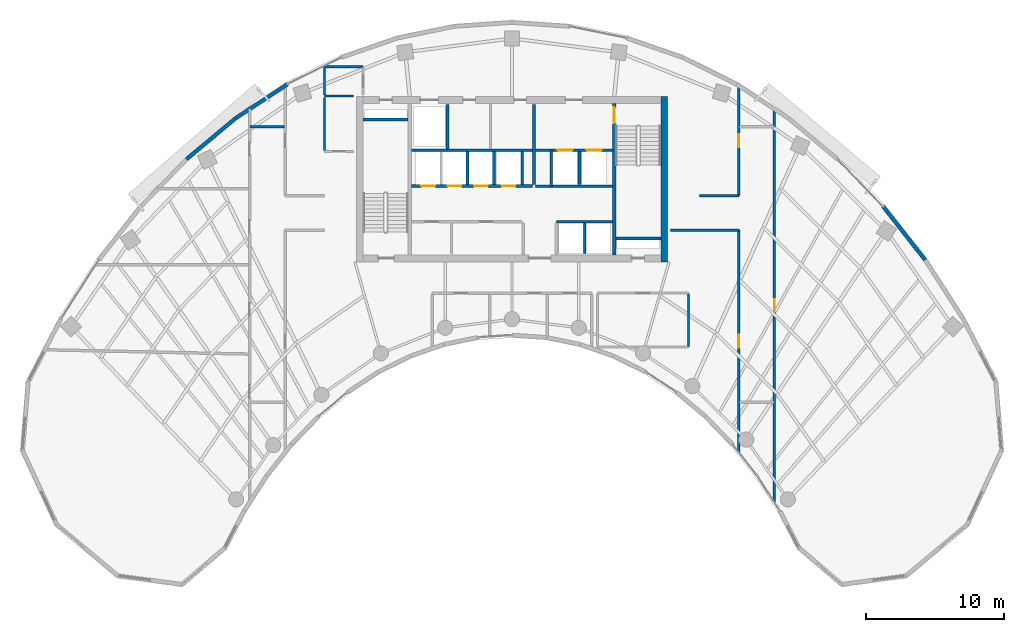
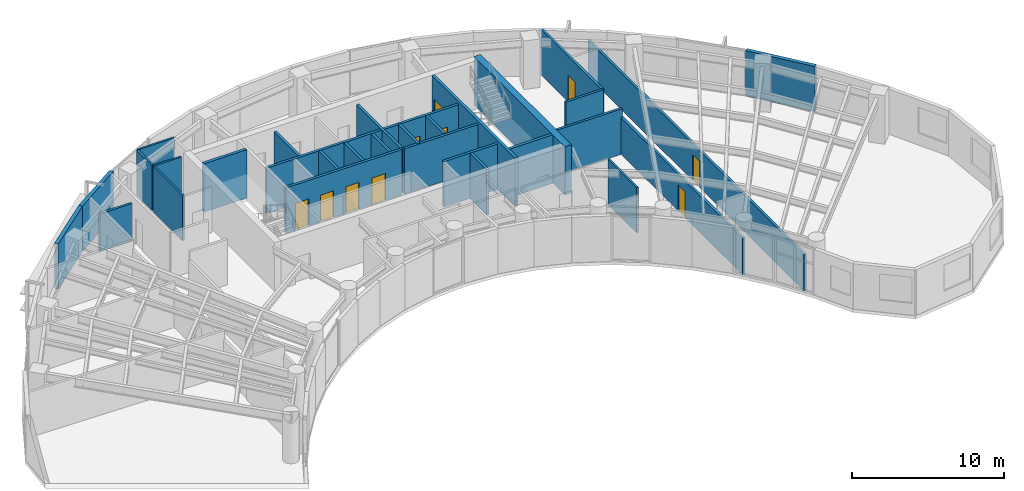
# One storey, part 9 of 13: 31 walls, 10 doors, 10 openings.
"""IFC4 building model written with IfcOpenShell, lengths in metres."""

from ifc_helpers import new_model, si_unit, direction, frame, frame_2d, origin, place, context, subcontext, project, spatial, rectangle, extrude, source, transform, mapped, material, layer, layer_set, type_object, type_shapes, element, fill, save


model = new_model("IFC4")

# Units and contexts
model_context = context("Model", 3, precision=1e-05, world=origin(), true_north=direction((0.0, 1.0)))
body_context = subcontext(model_context, "Body", "Model", "MODEL_VIEW")
ifc_project = project(units=[si_unit("LENGTHUNIT", "METRE"), si_unit("AREAUNIT", "SQUARE_METRE"), si_unit("VOLUMEUNIT", "CUBIC_METRE"), si_unit("PLANEANGLEUNIT", "RADIAN"), si_unit("MASSUNIT", "GRAM", prefix="KILO")], contexts=[model_context])

# Site, building, storey
site_placement = place(None, origin())
site = spatial("IfcSite", under=ifc_project, at=site_placement, CompositionType="ELEMENT")
building_placement = place(site_placement, origin())
building = spatial("IfcBuilding", under=site, at=building_placement, Name="Breltana Convention Tower", CompositionType="ELEMENT")
storey_placement = place(building_placement, frame((0.0, 0.0, 166.199951171875)))
storey = spatial("IfcBuildingStorey", under=building, at=storey_placement, Name="L40", CompositionType="ELEMENT", Elevation=166.199951171875)

# Walls
ifc_material_1 = material(Name="Concrete C60/75", Category="concrete")
ifc_layer_1 = layer(ifc_material_1, 0.5, Name="Concrete C60/75")
ifc_layer_set_1 = layer_set([ifc_layer_1], Name="Concrete C60/75")
wall_type_1 = type_object("IfcWallType", Name="SW-CORE-500", PredefinedType="SHEAR", material=ifc_layer_set_1)
shared_shape_1 = source(origin(), body_context, "Body", "SweptSolid", [
    extrude(rectangle(XDim=12.0, YDim=0.5, at=frame_2d((6.0, 0.0))), origin(), (0.0, 0.0, 1.0), 3.900146484375),
])
wall_1_placement = place(storey_placement, frame((59.050048828125, 60.199951171875, 0.0), z_axis=(0.0, 0.0, 1.0), x_axis=(0.0, 1.0, 0.0)))
element("IfcWall", 1, at=wall_1_placement, inside=storey, type_object=wall_type_1, Name="L40 East Core Shear Wall", PredefinedType="SHEAR", context=body_context, shape_type="MappedRepresentation", body=[
    mapped(shared_shape_1, transform((0.0, 0.0, 0.0), scale=1.0)),
])
ifc_material_2 = material(Name="Concrete C50/60", Category="concrete")
ifc_layer_2 = layer(ifc_material_2, 0.39990234375, Name="Concrete C50/60")
ifc_layer_set_2 = layer_set([ifc_layer_2], Name="Concrete C50/60")
wall_type_2 = type_object("IfcWallType", Name="SW-CORE-400", PredefinedType="SHEAR", material=ifc_layer_set_2)
shared_shape_2 = source(origin(), body_context, "Body", "SweptSolid", [
    extrude(rectangle(XDim=3.27001953125, YDim=0.219970703125, at=frame_2d((1.635009765625, 0.0))), origin(), (0.0, 0.0, 1.0), 3.900146484375),
])
for number, where, z_axis, x_axis, name in (
    (2, (37.199951171875, 70.510009765625, 0.0), (0.0, 0.0, 1.0), (1.0, 0.0, 0.0), "L40 ST-1 Stairwell North Bearing Wall"),
    (3, (55.530029296875, 61.889892578125, 0.0), (0.0, 0.0, 1.0), (1.0, 0.0, 0.0), "L40 ST-2 Stairwell South Bearing Wall"),
):
    element("IfcWall", number, at=place(storey_placement, frame(where, z_axis=z_axis, x_axis=x_axis)), inside=storey, type_object=wall_type_2, Name=name, PredefinedType="SHEAR", context=body_context, shape_type="MappedRepresentation", body=[
        mapped(shared_shape_2, transform((0.0, 0.0, 0.0), scale=1.0)),
    ])

# Wall, opening, door
shared_shape_3 = source(origin(), body_context, "Body", "SweptSolid", [
    extrude(rectangle(XDim=11.0, YDim=0.219970703125, at=frame_2d((5.5, 0.0))), origin(), (0.0, 0.0, 1.0), 3.900146484375),
])
wall_2_placement = place(storey_placement, frame((55.419921875, 60.699951171875, 0.0), z_axis=(0.0, 0.0, 1.0), x_axis=(0.0, 1.0, 0.0)))
wall_2 = element("IfcWall", 4, at=wall_2_placement, inside=storey, type_object=wall_type_2, Name="L40 Core East Stair Spine Wall", PredefinedType="SHEAR", context=body_context, shape_type="MappedRepresentation", body=[
    mapped(shared_shape_3, transform((0.0, 0.0, 0.0), scale=1.0)),
])
opening_1_placement = place(wall_2_placement, frame((9.544921875, 0.0, 0.0)))
opening_1 = element("IfcOpeningElement", 5, at=opening_1_placement, cuts=wall_2, Name="Opening D-11", PredefinedType="OPENING", context=body_context, shape_type="SweptSolid", body=[
    extrude(rectangle(XDim=1.14990234375, YDim=2.14990234375, at=frame_2d((0.574951171875, 1.074951171875))), frame((0.0, 0.1201171875, 0.0), z_axis=(0.0, -1.0, 0.0), x_axis=(1.0, 0.0, 0.0)), (0.0, 0.0, 1.0), 0.239990234375),
])
ifc_material_3 = material(Name="Steel Stair Exit Door", Category="steel")
door_type_1 = type_object("IfcDoorType", Name="DR-FD120-1150", OperationType="NOTDEFINED", PredefinedType="DOOR", material=ifc_material_3)
shared_shape_4 = source(origin(), body_context, "Body", "SweptSolid", [
    extrude(rectangle(XDim=1.14990234375, YDim=2.14990234375, at=frame_2d((0.574951171875, 1.074951171875))), frame((0.0, 0.02490234375, 0.0), z_axis=(0.0, -1.0, 0.0), x_axis=(1.0, 0.0, 0.0)), (0.0, 0.0, 1.0), 0.050048828125),
])
type_shapes(door_type_1, [shared_shape_4])
door_1_placement = place(opening_1_placement, origin())
door_1 = element("IfcDoor", 6, at=door_1_placement, inside=storey, type_object=door_type_1, Name="L40 interior door D-L40-ST2", OperationType="SINGLE_SWING_LEFT", OverallHeight=2.14990234375, OverallWidth=1.14990234375, PredefinedType="DOOR", context=body_context, shape_type="MappedRepresentation", body=[
    mapped(shared_shape_4, transform((0.0, 0.0, 0.0), scale=1.0)),
])
fill(opening_1, door_1)

# Walls
ifc_material_4 = material(Name="Limestone Buff Insulated Wall", Category="masonry")
ifc_layer_3 = layer(ifc_material_4, 0.280029296875, Name="Limestone Buff Insulated Wall")
ifc_layer_set_3 = layer_set([ifc_layer_3], Name="Limestone Buff Insulated Wall")
wall_type_3 = type_object("IfcWallType", Name="WL-EXT-NOSE-280", PredefinedType="SOLIDWALL", material=ifc_layer_set_3)
shared_shape_5 = source(origin(), body_context, "Body", "SweptSolid", [
    extrude(rectangle(XDim=4.921630859375, YDim=0.280029296875, at=frame_2d((2.4609375, 0.0))), origin(), (0.0, 0.0, 1.0), 3.650146484375),
])
wall_3_placement = place(storey_placement, frame((74.936279296875, 64.206298828125, 0.0), z_axis=(0.0, 0.0, 1.0), x_axis=(0.61817639101, -0.786039407153, 0.0)))
element("IfcWall", 7, at=wall_3_placement, inside=storey, type_object=wall_type_3, Name="L40 curved limestone nose wall E32", PredefinedType="SOLIDWALL", context=body_context, shape_type="MappedRepresentation", body=[
    mapped(shared_shape_5, transform((0.0, 0.0, 0.0), scale=1.0)),
])
shared_shape_6 = source(origin(), body_context, "Body", "SweptSolid", [
    extrude(rectangle(XDim=4.633544921875, YDim=0.280029296875, at=frame_2d((2.31689453125, 0.0))), origin(), (0.0, 0.0, 1.0), 3.650146484375),
])
wall_4_placement = place(storey_placement, frame((24.381103515625, 67.64208984375, 0.0), z_axis=(0.0, 0.0, 1.0), x_axis=(0.767910229096, 0.640557475993, 0.0)))
element("IfcWall", 8, at=wall_4_placement, inside=storey, type_object=wall_type_3, Name="L40 curved limestone nose wall E22", PredefinedType="SOLIDWALL", context=body_context, shape_type="MappedRepresentation", body=[
    mapped(shared_shape_6, transform((0.0, 0.0, 0.0), scale=1.0)),
])
shared_shape_7 = source(origin(), body_context, "Body", "SweptSolid", [
    extrude(rectangle(XDim=4.500732421875, YDim=0.280029296875, at=frame_2d((2.25048828125, 0.0))), origin(), (0.0, 0.0, 1.0), 3.650146484375),
])
wall_5_placement = place(storey_placement, frame((27.939208984375, 70.610107421875, 0.0), z_axis=(0.0, 0.0, 1.0), x_axis=(0.835984920737, 0.548752414391, 0.0)))
element("IfcWall", 9, at=wall_5_placement, inside=storey, type_object=wall_type_3, Name="L40 curved limestone nose wall E23", PredefinedType="SOLIDWALL", context=body_context, shape_type="MappedRepresentation", body=[
    mapped(shared_shape_7, transform((0.0, 0.0, 0.0), scale=1.0)),
])

# Wall, openings, doors
ifc_material_5 = material(Name="Autoclaved Aerated Concrete Block", Category="concrete")
ifc_layer_4 = layer(ifc_material_5, 0.199951171875, Name="Autoclaved Aerated Concrete Block")
ifc_layer_set_4 = layer_set([ifc_layer_4], Name="Autoclaved Aerated Concrete Block")
wall_type_4 = type_object("IfcWallType", Name="WL-SHAFT-200", PredefinedType="SOLIDWALL", material=ifc_layer_set_4)
shared_shape_8 = source(origin(), body_context, "Body", "SweptSolid", [
    extrude(rectangle(XDim=5.6201171875, YDim=0.199951171875, at=frame_2d((2.81005859375, 0.0))), origin(), (0.0, 0.0, 1.0), 3.650146484375),
])
wall_6_placement = place(storey_placement, frame((49.699951171875, 68.300048828125, 0.0), z_axis=(0.0, 0.0, 1.0), x_axis=(1.0, 0.0, 0.0)))
wall_6 = element("IfcWall", 10, at=wall_6_placement, inside=storey, type_object=wall_type_4, Name="L40 interior partition W-L40-FFL-S", PredefinedType="SOLIDWALL", context=body_context, shape_type="MappedRepresentation", body=[
    mapped(shared_shape_8, transform((0.0, 0.0, 0.0), scale=1.0)),
])
opening_2_placement = place(wall_6_placement, frame((1.60009765625, 0.0, 0.0)))
opening_2 = element("IfcOpeningElement", 11, at=opening_2_placement, cuts=wall_6, Name="Opening LD-03", PredefinedType="OPENING", context=body_context, shape_type="SweptSolid", body=[
    extrude(rectangle(XDim=1.10009765625, YDim=2.14990234375, at=frame_2d((0.550048828125, 1.074951171875))), frame((0.0, 0.10986328125, 0.0), z_axis=(0.0, -1.0, 0.0), x_axis=(1.0, 0.0, 0.0)), (0.0, 0.0, 1.0), 0.219970703125),
])
opening_3_placement = place(wall_6_placement, frame((3.699951171875, 0.0, 0.0)))
opening_3 = element("IfcOpeningElement", 12, at=opening_3_placement, cuts=wall_6, Name="Opening LD-03", PredefinedType="OPENING", context=body_context, shape_type="SweptSolid", body=[
    extrude(rectangle(XDim=1.10009765625, YDim=2.14990234375, at=frame_2d((0.550048828125, 1.074951171875))), frame((0.0, 0.10986328125, 0.0), z_axis=(0.0, -1.0, 0.0), x_axis=(1.0, 0.0, 0.0)), (0.0, 0.0, 1.0), 0.219970703125),
])
ifc_material_6 = material(Name="Stainless Steel Brushed", Category="steel")
door_type_2 = type_object("IfcDoorType", Name="DR-LD-FF-1100", OperationType="DOUBLE_DOOR_SLIDING", PredefinedType="DOOR", material=ifc_material_6)
shared_shape_9 = source(origin(), body_context, "Body", "SweptSolid", [
    extrude(rectangle(XDim=1.10009765625, YDim=2.14990234375, at=frame_2d((0.550048828125, 1.074951171875))), frame((0.0, 0.02490234375, 0.0), z_axis=(0.0, -1.0, 0.0), x_axis=(1.0, 0.0, 0.0)), (0.0, 0.0, 1.0), 0.050048828125),
])
type_shapes(door_type_2, [shared_shape_9])
door_2_placement = place(opening_2_placement, origin())
door_2 = element("IfcDoor", 13, at=door_2_placement, inside=storey, type_object=door_type_2, Name="L40 Lift Landing Door D-L40-LD-FL1", OperationType="DOUBLE_DOOR_SLIDING", OverallHeight=2.14990234375, OverallWidth=1.10009765625, PredefinedType="DOOR", context=body_context, shape_type="MappedRepresentation", body=[
    mapped(shared_shape_9, transform((0.0, 0.0, 0.0), scale=1.0)),
])
fill(opening_2, door_2)
door_3_placement = place(opening_3_placement, origin())
door_3 = element("IfcDoor", 14, at=door_3_placement, inside=storey, type_object=door_type_2, Name="L40 Lift Landing Door D-L40-LD-FL2", OperationType="DOUBLE_DOOR_SLIDING", OverallHeight=2.14990234375, OverallWidth=1.10009765625, PredefinedType="DOOR", context=body_context, shape_type="MappedRepresentation", body=[
    mapped(shared_shape_9, transform((0.0, 0.0, 0.0), scale=1.0)),
])
fill(opening_3, door_3)

# Walls
wall_7_placement = place(storey_placement, frame((49.699951171875, 65.679931640625, 0.0), z_axis=(0.0, 0.0, 1.0), x_axis=(1.0, 0.0, 0.0)))
element("IfcWall", 15, at=wall_7_placement, inside=storey, type_object=wall_type_4, Name="L40 interior partition W-L40-FL-S", PredefinedType="SOLIDWALL", context=body_context, shape_type="MappedRepresentation", body=[
    mapped(shared_shape_8, transform((0.0, 0.0, 0.0), scale=1.0)),
])
shared_shape_10 = source(origin(), body_context, "Body", "SweptSolid", [
    extrude(rectangle(XDim=5.800048828125, YDim=0.199951171875, at=frame_2d((2.89990234375, 0.0))), origin(), (0.0, 0.0, 1.0), 3.650146484375),
])
wall_8_placement = place(storey_placement, frame((49.60009765625, 65.800048828125, 0.0), z_axis=(0.0, 0.0, 1.0), x_axis=(0.0, 1.0, 0.0)))
element("IfcWall", 16, at=wall_8_placement, inside=storey, type_object=wall_type_4, Name="L40 interior partition W-L40-FFL-W", PredefinedType="SOLIDWALL", context=body_context, shape_type="MappedRepresentation", body=[
    mapped(shared_shape_10, transform((0.0, 0.0, 0.0), scale=1.0)),
])
shared_shape_11 = source(origin(), body_context, "Body", "SweptSolid", [
    extrude(rectangle(XDim=2.580078125, YDim=0.199951171875, at=frame_2d((1.2900390625, 0.0))), origin(), (0.0, 0.0, 1.0), 3.650146484375),
])
wall_9_placement = place(storey_placement, frame((50.85009765625, 65.679931640625, 0.0), z_axis=(0.0, 0.0, 1.0), x_axis=(0.0, 1.0, 0.0)))
element("IfcWall", 17, at=wall_9_placement, inside=storey, type_object=wall_type_4, Name="L40 interior partition W-L40-FL-W", PredefinedType="SOLIDWALL", context=body_context, shape_type="MappedRepresentation", body=[
    mapped(shared_shape_11, transform((0.0, 0.0, 0.0), scale=1.0)),
])
shared_shape_12 = source(origin(), body_context, "Body", "SweptSolid", [
    extrude(rectangle(XDim=2.39990234375, YDim=0.199951171875, at=frame_2d((1.199951171875, 0.0))), origin(), (0.0, 0.0, 1.0), 3.650146484375),
])
for number, where, z_axis, x_axis, name in (
    (18, (52.89990234375, 65.800048828125, 0.0), (0.0, 0.0, 1.0), (0.0, 1.0, 0.0), "L40 interior partition W-L40-FL-DIV"),
    (19, (48.75, 65.800048828125, 0.0), (0.0, 0.0, 1.0), (0.0, 1.0, 0.0), "L40 interior partition W-L40-SH-M-END"),
    (20, (44.77001953125, 65.800048828125, 0.0), (0.0, 0.0, 1.0), (0.0, 1.0, 0.0), "L40 interior partition W-L40-SH-M-DIV2"),
    (21, (46.699951171875, 65.800048828125, 0.0), (0.0, 0.0, 1.0), (0.0, 1.0, 0.0), "L40 interior partition W-L40-SH-M-DIV3"),
):
    element("IfcWall", number, at=place(storey_placement, frame(where, z_axis=z_axis, x_axis=x_axis)), inside=storey, type_object=wall_type_4, Name=name, PredefinedType="SOLIDWALL", context=body_context, shape_type="MappedRepresentation", body=[
        mapped(shared_shape_12, transform((0.0, 0.0, 0.0), scale=1.0)),
    ])
shared_shape_13 = source(origin(), body_context, "Body", "SweptSolid", [
    extrude(rectangle(XDim=3.2001953125, YDim=0.199951171875, at=frame_2d((1.60009765625, 0.0))), origin(), (0.0, 0.0, 1.0), 3.650146484375),
])
wall_10_placement = place(storey_placement, frame((43.320068359375, 68.39990234375, 0.0), z_axis=(0.0, 0.0, 1.0), x_axis=(0.0, 1.0, 0.0)))
element("IfcWall", 22, at=wall_10_placement, inside=storey, type_object=wall_type_4, Name="L40 interior partition W-L40-SV-E", PredefinedType="SOLIDWALL", context=body_context, shape_type="MappedRepresentation", body=[
    mapped(shared_shape_13, transform((0.0, 0.0, 0.0), scale=1.0)),
])
shared_shape_14 = source(origin(), body_context, "Body", "SweptSolid", [
    extrude(rectangle(XDim=8.800048828125, YDim=0.199951171875, at=frame_2d((4.39990234375, 0.0))), origin(), (0.0, 0.0, 1.0), 3.650146484375),
])
wall_11_placement = place(storey_placement, frame((40.699951171875, 68.300048828125, 0.0), z_axis=(0.0, 0.0, 1.0), x_axis=(1.0, 0.0, 0.0)))
element("IfcWall", 23, at=wall_11_placement, inside=storey, type_object=wall_type_4, Name="L40 interior partition W-L40-SV-S", PredefinedType="SOLIDWALL", context=body_context, shape_type="MappedRepresentation", body=[
    mapped(shared_shape_14, transform((0.0, 0.0, 0.0), scale=1.0)),
])

# Wall, openings, doors
wall_12_placement = place(storey_placement, frame((40.699951171875, 65.699951171875, 0.0), z_axis=(0.0, 0.0, 1.0), x_axis=(1.0, 0.0, 0.0)))
wall_12 = element("IfcWall", 24, at=wall_12_placement, inside=storey, type_object=wall_type_4, Name="L40 interior partition W-L40-SH-M-FRONT", PredefinedType="SOLIDWALL", context=body_context, shape_type="MappedRepresentation", body=[
    mapped(shared_shape_14, transform((0.0, 0.0, 0.0), scale=1.0)),
])
opening_4_placement = place(wall_12_placement, frame((0.719970703125, 0.0, 0.0)))
opening_4 = element("IfcOpeningElement", 25, at=opening_4_placement, cuts=wall_12, Name="Opening LD-04", PredefinedType="OPENING", context=body_context, shape_type="SweptSolid", body=[
    extrude(rectangle(XDim=1.0, YDim=2.14990234375, at=frame_2d((0.5, 1.074951171875))), frame((0.0, 0.10986328125, 0.0), z_axis=(0.0, -1.0, 0.0), x_axis=(1.0, 0.0, 0.0)), (0.0, 0.0, 1.0), 0.219970703125),
])
opening_5_placement = place(wall_12_placement, frame((2.6201171875, 0.0, 0.0)))
opening_5 = element("IfcOpeningElement", 26, at=opening_5_placement, cuts=wall_12, Name="Opening LD-04", PredefinedType="OPENING", context=body_context, shape_type="SweptSolid", body=[
    extrude(rectangle(XDim=1.0, YDim=2.14990234375, at=frame_2d((0.5, 1.074951171875))), frame((0.0, 0.10986328125, 0.0), z_axis=(0.0, -1.0, 0.0), x_axis=(1.0, 0.0, 0.0)), (0.0, 0.0, 1.0), 0.219970703125),
])
opening_6_placement = place(wall_12_placement, frame((4.550048828125, 0.0, 0.0)))
opening_6 = element("IfcOpeningElement", 27, at=opening_6_placement, cuts=wall_12, Name="Opening LD-04", PredefinedType="OPENING", context=body_context, shape_type="SweptSolid", body=[
    extrude(rectangle(XDim=1.0, YDim=2.14990234375, at=frame_2d((0.5, 1.074951171875))), frame((0.0, 0.10986328125, 0.0), z_axis=(0.0, -1.0, 0.0), x_axis=(1.0, 0.0, 0.0)), (0.0, 0.0, 1.0), 0.219970703125),
])
opening_7_placement = place(wall_12_placement, frame((6.550048828125, 0.0, 0.0)))
opening_7 = element("IfcOpeningElement", 28, at=opening_7_placement, cuts=wall_12, Name="Opening LD-04", PredefinedType="OPENING", context=body_context, shape_type="SweptSolid", body=[
    extrude(rectangle(XDim=1.0, YDim=2.14990234375, at=frame_2d((0.5, 1.074951171875))), frame((0.0, 0.10986328125, 0.0), z_axis=(0.0, -1.0, 0.0), x_axis=(1.0, 0.0, 0.0)), (0.0, 0.0, 1.0), 0.219970703125),
])
door_type_3 = type_object("IfcDoorType", Name="DR-LD-PAX-1000", OperationType="DOUBLE_DOOR_SLIDING", PredefinedType="DOOR", material=ifc_material_6)
shared_shape_15 = source(origin(), body_context, "Body", "SweptSolid", [
    extrude(rectangle(XDim=1.0, YDim=2.14990234375, at=frame_2d((0.5, 1.074951171875))), frame((0.0, 0.02490234375, 0.0), z_axis=(0.0, -1.0, 0.0), x_axis=(1.0, 0.0, 0.0)), (0.0, 0.0, 1.0), 0.050048828125),
])
type_shapes(door_type_3, [shared_shape_15])
door_4_placement = place(opening_4_placement, origin())
door_4 = element("IfcDoor", 29, at=door_4_placement, inside=storey, type_object=door_type_3, Name="L40 Lift Landing Door D-L40-LD-M1", OperationType="DOUBLE_DOOR_SLIDING", OverallHeight=2.14990234375, OverallWidth=1.0, PredefinedType="DOOR", context=body_context, shape_type="MappedRepresentation", body=[
    mapped(shared_shape_15, transform((0.0, 0.0, 0.0), scale=1.0)),
])
fill(opening_4, door_4)
door_5_placement = place(opening_5_placement, origin())
door_5 = element("IfcDoor", 30, at=door_5_placement, inside=storey, type_object=door_type_3, Name="L40 Lift Landing Door D-L40-LD-M2", OperationType="DOUBLE_DOOR_SLIDING", OverallHeight=2.14990234375, OverallWidth=1.0, PredefinedType="DOOR", context=body_context, shape_type="MappedRepresentation", body=[
    mapped(shared_shape_15, transform((0.0, 0.0, 0.0), scale=1.0)),
])
fill(opening_5, door_5)
door_6_placement = place(opening_6_placement, origin())
door_6 = element("IfcDoor", 31, at=door_6_placement, inside=storey, type_object=door_type_3, Name="L40 Lift Landing Door D-L40-LD-M3", OperationType="DOUBLE_DOOR_SLIDING", OverallHeight=2.14990234375, OverallWidth=1.0, PredefinedType="DOOR", context=body_context, shape_type="MappedRepresentation", body=[
    mapped(shared_shape_15, transform((0.0, 0.0, 0.0), scale=1.0)),
])
fill(opening_6, door_6)
door_7_placement = place(opening_7_placement, origin())
door_7 = element("IfcDoor", 32, at=door_7_placement, inside=storey, type_object=door_type_3, Name="L40 Lift Landing Door D-L40-LD-M4", OperationType="DOUBLE_DOOR_SLIDING", OverallHeight=2.14990234375, OverallWidth=1.0, PredefinedType="DOOR", context=body_context, shape_type="MappedRepresentation", body=[
    mapped(shared_shape_15, transform((0.0, 0.0, 0.0), scale=1.0)),
])
fill(opening_7, door_7)

# Walls
shared_shape_16 = source(origin(), body_context, "Body", "SweptSolid", [
    extrude(rectangle(XDim=4.10009765625, YDim=0.199951171875, at=frame_2d((2.050048828125, 0.0))), origin(), (0.0, 0.0, 1.0), 3.650146484375),
])
wall_13_placement = place(storey_placement, frame((51.219970703125, 63.10009765625, 0.0), z_axis=(0.0, 0.0, 1.0), x_axis=(1.0, 0.0, 0.0)))
element("IfcWall", 33, at=wall_13_placement, inside=storey, type_object=wall_type_4, Name="L40 interior partition W-L40-SH-X-FRONT", PredefinedType="SOLIDWALL", context=body_context, shape_type="MappedRepresentation", body=[
    mapped(shared_shape_16, transform((0.0, 0.0, 0.0), scale=1.0)),
])
shared_shape_17 = source(origin(), body_context, "Body", "SweptSolid", [
    extrude(rectangle(XDim=2.199951171875, YDim=0.199951171875, at=frame_2d((1.10009765625, 0.0))), origin(), (0.0, 0.0, 1.0), 3.650146484375),
])
wall_14_placement = place(storey_placement, frame((53.280029296875, 60.800048828125, 0.0), z_axis=(0.0, 0.0, 1.0), x_axis=(0.0, 1.0, 0.0)))
element("IfcWall", 34, at=wall_14_placement, inside=storey, type_object=wall_type_4, Name="L40 interior partition W-L40-SH-X-DIV", PredefinedType="SOLIDWALL", context=body_context, shape_type="MappedRepresentation", body=[
    mapped(shared_shape_17, transform((0.0, 0.0, 0.0), scale=1.0)),
])
ifc_material_7 = material(Name="Gypsum Acoustic Drywall Partition")
ifc_layer_5 = layer(ifc_material_7, 0.14990234375, Name="Gypsum Acoustic Drywall Partition")
ifc_layer_set_5 = layer_set([ifc_layer_5], Name="Gypsum Acoustic Drywall Partition")
wall_type_5 = type_object("IfcWallType", Name="WL-PART-150", PredefinedType="PARTITIONING", material=ifc_layer_set_5)
shared_shape_18 = source(origin(), body_context, "Body", "SweptSolid", [
    extrude(rectangle(XDim=3.78515625, YDim=0.14990234375, at=frame_2d((1.892578125, 0.0))), origin(), (0.0, 0.0, 1.0), 3.650146484375),
])
wall_15_placement = place(storey_placement, frame((60.800048828125, 54.0673828125, 0.0), z_axis=(0.0, 0.0, 1.0), x_axis=(0.0, 1.0, 0.0)))
element("IfcWall", 35, at=wall_15_placement, inside=storey, type_object=wall_type_5, Name="L40 interior partition W-L40-PNT-E", PredefinedType="PARTITIONING", context=body_context, shape_type="MappedRepresentation", body=[
    mapped(shared_shape_18, transform((0.0, 0.0, 0.0), scale=1.0)),
])
shared_shape_19 = source(origin(), body_context, "Body", "SweptSolid", [
    extrude(rectangle(XDim=2.10009765625, YDim=0.14990234375, at=frame_2d((1.050048828125, 0.0))), origin(), (0.0, 0.0, 1.0), 3.650146484375),
])
wall_16_placement = place(storey_placement, frame((34.39990234375, 72.219970703125, 0.0), z_axis=(0.0, 0.0, 1.0), x_axis=(1.0, 0.0, 0.0)))
element("IfcWall", 36, at=wall_16_placement, inside=storey, type_object=wall_type_5, Name="L40 interior partition W-L40-CRNW-S", PredefinedType="PARTITIONING", context=body_context, shape_type="MappedRepresentation", body=[
    mapped(shared_shape_19, transform((0.0, 0.0, 0.0), scale=1.0)),
])
shared_shape_20 = source(origin(), body_context, "Body", "SweptSolid", [
    extrude(rectangle(XDim=2.800048828125, YDim=0.14990234375, at=frame_2d((1.39990234375, 0.0))), origin(), (0.0, 0.0, 1.0), 3.650146484375),
])
wall_17_placement = place(storey_placement, frame((34.39990234375, 74.35009765625, 0.0), z_axis=(0.0, 0.0, 1.0), x_axis=(1.0, 0.0, 0.0)))
element("IfcWall", 37, at=wall_17_placement, inside=storey, type_object=wall_type_5, Name="L40 interior partition W-L40-CRNW-N", PredefinedType="PARTITIONING", context=body_context, shape_type="MappedRepresentation", body=[
    mapped(shared_shape_20, transform((0.0, 0.0, 0.0), scale=1.0)),
])
shared_shape_21 = source(origin(), body_context, "Body", "SweptSolid", [
    extrude(rectangle(XDim=1.994873046875, YDim=0.14990234375, at=frame_2d((0.99755859375, 0.0))), origin(), (0.0, 0.0, 1.0), 3.650146484375),
])
wall_18_placement = place(storey_placement, frame((34.39990234375, 72.28759765625, 0.0), z_axis=(0.0, 0.0, 1.0), x_axis=(0.0, 1.0, 0.0)))
element("IfcWall", 38, at=wall_18_placement, inside=storey, type_object=wall_type_5, Name="L40 interior partition W-L40-CRNW-W", PredefinedType="PARTITIONING", context=body_context, shape_type="MappedRepresentation", body=[
    mapped(shared_shape_21, transform((0.0, 0.0, 0.0), scale=1.0)),
])
shared_shape_22 = source(origin(), body_context, "Body", "SweptSolid", [
    extrude(rectangle(XDim=3.844970703125, YDim=0.14990234375, at=frame_2d((1.92236328125, 0.0))), origin(), (0.0, 0.0, 1.0), 3.650146484375),
])
wall_19_placement = place(storey_placement, frame((34.39990234375, 68.267578125, 0.0), z_axis=(0.0, 0.0, 1.0), x_axis=(0.0, 1.0, 0.0)))
element("IfcWall", 39, at=wall_19_placement, inside=storey, type_object=wall_type_5, Name="L40 interior partition W-L40-CRSW-W", PredefinedType="PARTITIONING", context=body_context, shape_type="MappedRepresentation", body=[
    mapped(shared_shape_22, transform((0.0, 0.0, 0.0), scale=1.0)),
])
ifc_material_8 = material(Name="Moisture-Resistant Gypsum Chase Wall")
ifc_layer_6 = layer(ifc_material_8, 0.179931640625, Name="Moisture-Resistant Gypsum Chase Wall")
ifc_layer_set_6 = layer_set([ifc_layer_6], Name="Moisture-Resistant Gypsum Chase Wall")
wall_type_6 = type_object("IfcWallType", Name="WL-PLUMB-180", PredefinedType="PLUMBINGWALL", material=ifc_layer_set_6)
shared_shape_23 = source(origin(), body_context, "Body", "SweptSolid", [
    extrude(rectangle(XDim=2.5, YDim=0.179931640625, at=frame_2d((1.25, 0.0))), origin(), (0.0, 0.0, 1.0), 3.02197265625),
])
wall_20_placement = place(storey_placement, frame((29.0, 70.0, 0.0), z_axis=(0.0, 0.0, 1.0), x_axis=(1.0, 0.0, 0.0)))
element("IfcWall", 40, at=wall_20_placement, inside=storey, type_object=wall_type_6, Name="L40 interior partition W-L40-CORNW-N", PredefinedType="PLUMBINGWALL", context=body_context, shape_type="MappedRepresentation", body=[
    mapped(shared_shape_23, transform((0.0, 0.0, 0.0), scale=1.0)),
])

# Wall, opening, door
shared_shape_24 = source(origin(), body_context, "Body", "SweptSolid", [
    extrude(rectangle(XDim=28.503173828125, YDim=0.179931640625, at=frame_2d((14.25146484375, 0.0))), origin(), (0.0, 0.0, 1.0), 2.942138671875),
])
wall_21_placement = place(storey_placement, frame((67.0400390625, 42.764892578125, 0.0), z_axis=(0.0, 0.0, 1.0), x_axis=(0.0, 1.0, 0.0)))
wall_21 = element("IfcWall", 41, at=wall_21_placement, inside=storey, type_object=wall_type_6, Name="L40 interior partition W-L40-ZE1-W", PredefinedType="PLUMBINGWALL", context=body_context, shape_type="MappedRepresentation", body=[
    mapped(shared_shape_24, transform((0.0, 0.0, 0.0), scale=1.0)),
])
opening_8_placement = place(wall_21_placement, frame((13.801513671875, 0.0, 0.0)))
opening_8 = element("IfcOpeningElement", 42, at=opening_8_placement, cuts=wall_21, Name="Opening D-19", PredefinedType="OPENING", context=body_context, shape_type="SweptSolid", body=[
    extrude(rectangle(XDim=0.89990234375, YDim=2.080078125, at=frame_2d((0.449951171875, 1.0400390625))), frame((0.0, 0.10009765625, 0.0), z_axis=(0.0, -1.0, 0.0), x_axis=(1.0, 0.0, 0.0)), (0.0, 0.0, 1.0), 0.199951171875),
])
ifc_material_9 = material(Name="Timber Moisture-Resistant Door", Category="wood")
door_type_4 = type_object("IfcDoorType", Name="DR-WC-900", OperationType="NOTDEFINED", PredefinedType="DOOR", material=ifc_material_9)
shared_shape_25 = source(origin(), body_context, "Body", "SweptSolid", [
    extrude(rectangle(XDim=0.89990234375, YDim=2.080078125, at=frame_2d((0.449951171875, 1.0400390625))), frame((0.0, 0.02490234375, 0.0), z_axis=(0.0, -1.0, 0.0), x_axis=(1.0, 0.0, 0.0)), (0.0, 0.0, 1.0), 0.050048828125),
])
type_shapes(door_type_4, [shared_shape_25])
door_8_placement = place(opening_8_placement, origin())
door_8 = element("IfcDoor", 43, at=door_8_placement, inside=storey, type_object=door_type_4, Name="L40 interior door D-L40-ZE1", OperationType="SINGLE_SWING_RIGHT", OverallHeight=2.080078125, OverallWidth=0.89990234375, PredefinedType="DOOR", context=body_context, shape_type="MappedRepresentation", body=[
    mapped(shared_shape_25, transform((0.0, 0.0, 0.0), scale=1.0)),
])
fill(opening_8, door_8)

shared_shape_26 = source(origin(), body_context, "Body", "SweptSolid", [
    extrude(rectangle(XDim=16.1064453125, YDim=0.179931640625, at=frame_2d((8.05322265625, 0.0))), origin(), (0.0, 0.0, 1.0), 2.942138671875),
])
wall_22_placement = place(storey_placement, frame((64.4599609375, 46.3935546875, 0.0), z_axis=(0.0, 0.0, 1.0), x_axis=(0.0, 1.0, 0.0)))
wall_22 = element("IfcWall", 44, at=wall_22_placement, inside=storey, type_object=wall_type_6, Name="L40 interior partition W-L40-ZME1-D", PredefinedType="PLUMBINGWALL", context=body_context, shape_type="MappedRepresentation", body=[
    mapped(shared_shape_26, transform((0.0, 0.0, 0.0), scale=1.0)),
])
opening_9_placement = place(wall_22_placement, frame((7.578125, 0.0, 0.0)))
opening_9 = element("IfcOpeningElement", 45, at=opening_9_placement, cuts=wall_22, Name="Opening D-17", PredefinedType="OPENING", context=body_context, shape_type="SweptSolid", body=[
    extrude(rectangle(XDim=0.949951171875, YDim=2.10009765625, at=frame_2d((0.47509765625, 1.050048828125))), frame((0.0, 0.10009765625, 0.0), z_axis=(0.0, -1.0, 0.0), x_axis=(1.0, 0.0, 0.0)), (0.0, 0.0, 1.0), 0.199951171875),
])
ifc_material_10 = material(Name="Timber Oak Veneer Door", Category="wood")
door_type_5 = type_object("IfcDoorType", Name="DR-INT-950", OperationType="NOTDEFINED", PredefinedType="DOOR", material=ifc_material_10)
shared_shape_27 = source(origin(), body_context, "Body", "SweptSolid", [
    extrude(rectangle(XDim=0.949951171875, YDim=2.10009765625, at=frame_2d((0.47509765625, 1.050048828125))), frame((0.0, 0.02490234375, 0.0), z_axis=(0.0, -1.0, 0.0), x_axis=(1.0, 0.0, 0.0)), (0.0, 0.0, 1.0), 0.050048828125),
])
type_shapes(door_type_5, [shared_shape_27])
door_9_placement = place(opening_9_placement, origin())
door_9 = element("IfcDoor", 46, at=door_9_placement, inside=storey, type_object=door_type_5, Name="L40 interior door D-L40-ZME1", OperationType="SINGLE_SWING_LEFT", OverallHeight=2.10009765625, OverallWidth=0.949951171875, PredefinedType="DOOR", context=body_context, shape_type="MappedRepresentation", body=[
    mapped(shared_shape_27, transform((0.0, 0.0, 0.0), scale=1.0)),
])
fill(opening_9, door_9)

# Wall
shared_shape_28 = source(origin(), body_context, "Body", "SweptSolid", [
    extrude(rectangle(XDim=2.85986328125, YDim=0.179931640625, at=frame_2d((1.429931640625, 0.0))), origin(), (0.0, 0.0, 1.0), 3.650146484375),
])
wall_23_placement = place(storey_placement, frame((61.60009765625, 65.0, 0.0), z_axis=(0.0, 0.0, 1.0), x_axis=(1.0, 0.0, 0.0)))
element("IfcWall", 47, at=wall_23_placement, inside=storey, type_object=wall_type_6, Name="L40 interior partition W-L40-ZME2-TS", PredefinedType="PLUMBINGWALL", context=body_context, shape_type="MappedRepresentation", body=[
    mapped(shared_shape_28, transform((0.0, 0.0, 0.0), scale=1.0)),
])

# Wall, opening, door
shared_shape_29 = source(origin(), body_context, "Body", "SweptSolid", [
    extrude(rectangle(XDim=7.9619140625, YDim=0.179931640625, at=frame_2d((3.98095703125, 0.0))), origin(), (0.0, 0.0, 1.0), 3.650146484375),
])
wall_24_placement = place(storey_placement, frame((64.4599609375, 65.0, 0.0), z_axis=(0.0, 0.0, 1.0), x_axis=(0.0, 1.0, 0.0)))
wall_24 = element("IfcWall", 48, at=wall_24_placement, inside=storey, type_object=wall_type_6, Name="L40 interior partition W-L40-ZME2-D", PredefinedType="PLUMBINGWALL", context=body_context, shape_type="MappedRepresentation", body=[
    mapped(shared_shape_29, transform((0.0, 0.0, 0.0), scale=1.0)),
])
opening_10_placement = place(wall_24_placement, frame((3.505859375, 0.0, 0.0)))
opening_10 = element("IfcOpeningElement", 49, at=opening_10_placement, cuts=wall_24, Name="Opening D-17", PredefinedType="OPENING", context=body_context, shape_type="SweptSolid", body=[
    extrude(rectangle(XDim=0.949951171875, YDim=2.10009765625, at=frame_2d((0.47509765625, 1.050048828125))), frame((0.0, 0.10009765625, 0.0), z_axis=(0.0, -1.0, 0.0), x_axis=(1.0, 0.0, 0.0)), (0.0, 0.0, 1.0), 0.199951171875),
])
door_10_placement = place(opening_10_placement, origin())
door_10 = element("IfcDoor", 50, at=door_10_placement, inside=storey, type_object=door_type_5, Name="L40 interior door D-L40-ZME2", OperationType="SINGLE_SWING_RIGHT", OverallHeight=2.10009765625, OverallWidth=0.949951171875, PredefinedType="DOOR", context=body_context, shape_type="MappedRepresentation", body=[
    mapped(shared_shape_27, transform((0.0, 0.0, 0.0), scale=1.0)),
])
fill(opening_10, door_10)

# Wall
shared_shape_30 = source(origin(), body_context, "Body", "SweptSolid", [
    extrude(rectangle(XDim=4.9599609375, YDim=0.179931640625, at=frame_2d((2.47998046875, 0.0))), origin(), (0.0, 0.0, 1.0), 3.650146484375),
])
wall_25_placement = place(storey_placement, frame((59.5, 62.5, 0.0), z_axis=(0.0, 0.0, 1.0), x_axis=(1.0, 0.0, 0.0)))
element("IfcWall", 51, at=wall_25_placement, inside=storey, type_object=wall_type_6, Name="L40 interior partition W-L40-ZME1-TN", PredefinedType="PLUMBINGWALL", context=body_context, shape_type="MappedRepresentation", body=[
    mapped(shared_shape_30, transform((0.0, 0.0, 0.0), scale=1.0)),
])

save(model, "model.ifc")
